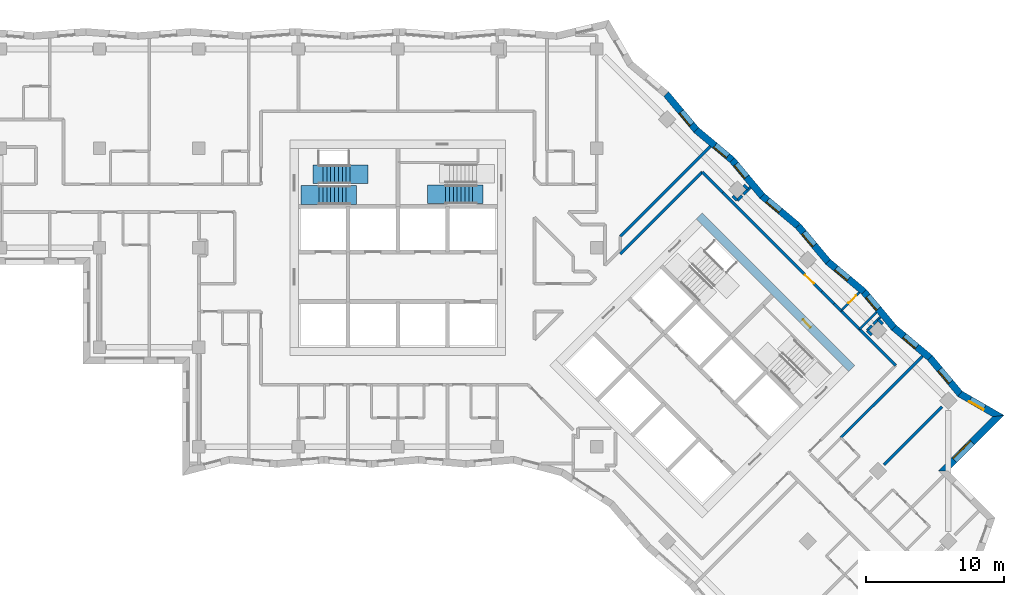
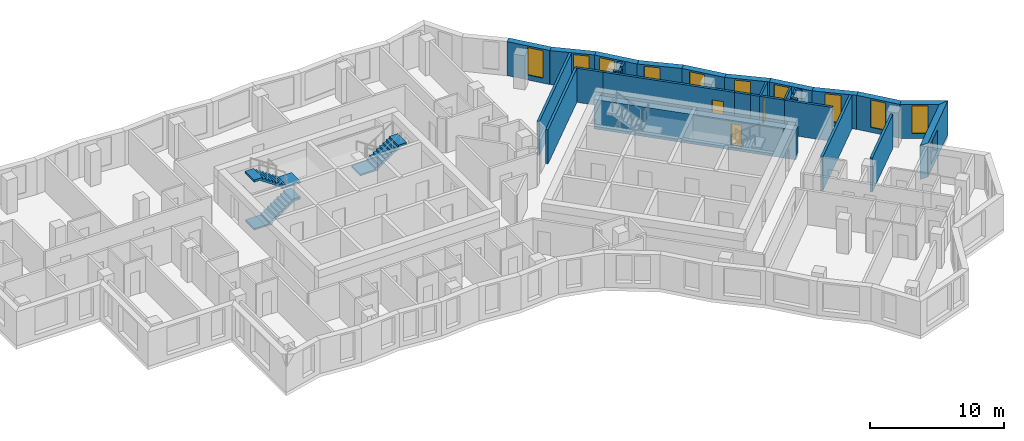
# One storey, part 9 of 12: 32 walls, 11 windows, 3 doors, 3 stair flights, 14 openings, 2 elements without a shape of their own.
"""IFC4 building model written with IfcOpenShell, lengths in metres."""

from ifc_helpers import new_model, si_unit, direction, frame, frame_2d, origin, place, context, subcontext, project, spatial, polyline, rectangle, outline, extrude, material, layer, layer_set, type_object, element, fill, aggregate, save


model = new_model("IFC4")

# Units and contexts
model_context = context("Model", 3, precision=1e-05, world=origin(), true_north=direction((0.0, 1.0)))
body_context = subcontext(model_context, "Body", "Model", "MODEL_VIEW")
ifc_project = project(units=[si_unit("LENGTHUNIT", "METRE"), si_unit("AREAUNIT", "SQUARE_METRE"), si_unit("VOLUMEUNIT", "CUBIC_METRE"), si_unit("PLANEANGLEUNIT", "RADIAN"), si_unit("MASSUNIT", "GRAM", prefix="KILO")], contexts=[model_context])

# Site, building, storey
site_placement = place(None, origin())
site = spatial("IfcSite", under=ifc_project, at=site_placement, CompositionType="ELEMENT")
building_placement = place(site_placement, origin())
building = spatial("IfcBuilding", under=site, at=building_placement, Name="Windrow Commons", CompositionType="ELEMENT")
storey_placement = place(building_placement, frame((0.0, 0.0, 135.4)))
storey = spatial("IfcBuildingStorey", under=building, at=storey_placement, Name="L36", CompositionType="ELEMENT", Elevation=135.4)

# Wall, opening, window
ifc_material_1 = material(Name="Brick masonry, red clay brick", Category="masonry")
ifc_layer_1 = layer(ifc_material_1, 0.5)
ifc_layer_set_1 = layer_set([ifc_layer_1], Name="Brick facade wall 500")
wall_type_1 = type_object("IfcWallType", Name="Brick facade wall 500", PredefinedType="SOLIDWALL", material=ifc_layer_set_1)
wall_1_placement = place(storey_placement, frame((104.3022, 41.453, 0.0), z_axis=(0.0, 0.0, 1.0), x_axis=(0.70712456, 0.707089002, 0.0)))
wall_1 = element("IfcWall", 1, at=wall_1_placement, inside=storey, type_object=wall_type_1, Name="Brick facade wall L36 6", PredefinedType="SOLIDWALL", context=body_context, shape_type="SweptSolid", body=[
    extrude(outline(polyline([(0.25, -0.25), (5.9501, -0.25), (5.2991, 0.25), (-0.25, 0.25), (0.25, -0.25)])), origin(), (0.0, 0.0, 1.0), 3.1),
])
opening_1_placement = place(wall_1_placement, frame((1.125, 0.0, 0.6)))
opening_1 = element("IfcOpeningElement", 2, at=opening_1_placement, cuts=wall_1, Name="Opening W1L", PredefinedType="OPENING", context=body_context, shape_type="SweptSolid", body=[
    extrude(rectangle(XDim=1.8, YDim=1.9, at=frame_2d((0.9, 0.95))), frame((0.0, 0.26, 0.0), z_axis=(0.0, -1.0, 0.0), x_axis=(1.0, 0.0, 0.0)), (0.0, 0.0, 1.0), 0.52),
])
ifc_material_2 = material(Name="Clear float glass in anodised aluminium frame", Category="aluminium")
window_type_1 = type_object("IfcWindowType", Name="Window W1L bedroom 1800x1900", PartitioningType="SINGLE_PANEL", PredefinedType="WINDOW", material=ifc_material_2)
window_1_placement = place(opening_1_placement, origin())
window_1 = element("IfcWindow", 3, at=window_1_placement, inside=storey, type_object=window_type_1, Name="Window L36 6.1", OverallHeight=1.9, OverallWidth=1.8, PartitioningType="SINGLE_PANEL", PredefinedType="WINDOW", context=body_context, shape_type="SweptSolid", body=[
    extrude(rectangle(XDim=1.8, YDim=1.9, at=frame_2d((0.9, 0.95))), frame((0.0, 0.18, 0.0), z_axis=(0.0, -1.0, 0.0), x_axis=(1.0, 0.0, 0.0)), (0.0, 0.0, 1.0), 0.06),
])
fill(opening_1, window_1)

wall_2_placement = place(storey_placement, frame((108.2795, 45.4301, 0.0), z_axis=(0.0, 0.0, 1.0), x_axis=(-0.8655187184, 0.5008765798, 0.0)))
wall_2 = element("IfcWall", 4, at=wall_2_placement, inside=storey, type_object=wall_type_1, Name="Brick facade wall L36 7", PredefinedType="SOLIDWALL", context=body_context, shape_type="SweptSolid", body=[
    extrude(outline(polyline([(-0.3255, -0.25), (3.165, -0.25), (3.2533, 0.25), (0.3255, 0.25), (-0.3255, -0.25)])), origin(), (0.0, 0.0, 1.0), 3.1),
])
opening_2_placement = place(wall_2_placement, frame((1.1673, 0.0, 0.45)))
opening_2 = element("IfcOpeningElement", 5, at=opening_2_placement, cuts=wall_2, Name="Opening W7E", PredefinedType="OPENING", context=body_context, shape_type="SweptSolid", body=[
    extrude(rectangle(XDim=1.2, YDim=2.5, at=frame_2d((0.6, 1.25))), frame((0.0, 0.26, 0.0), z_axis=(0.0, -1.0, 0.0), x_axis=(1.0, 0.0, 0.0)), (0.0, 0.0, 1.0), 0.52),
])
ifc_material_3 = material(Name="Clear float glass in anodised aluminium frame", Category="aluminium")
window_type_2 = type_object("IfcWindowType", Name="Window W7 notch 1200x2500", PartitioningType="SINGLE_PANEL", PredefinedType="WINDOW", material=ifc_material_3)
window_2_placement = place(opening_2_placement, origin())
window_2 = element("IfcWindow", 6, at=window_2_placement, inside=storey, type_object=window_type_2, Name="Window L36 7.1", OverallHeight=2.5, OverallWidth=1.2, PartitioningType="SINGLE_PANEL", PredefinedType="WINDOW", context=body_context, shape_type="SweptSolid", body=[
    extrude(rectangle(XDim=1.2, YDim=2.5, at=frame_2d((0.6, 1.25))), frame((0.0, 0.18, 0.0), z_axis=(0.0, -1.0, 0.0), x_axis=(1.0, 0.0, 0.0)), (0.0, 0.0, 1.0), 0.06),
])
fill(opening_2, window_2)

wall_3_placement = place(storey_placement, frame((105.5019, 47.0375, 0.0), z_axis=(0.0, 0.0, 1.0), x_axis=(-0.6416754301, 0.7669762984, 0.0)))
wall_3 = element("IfcWall", 7, at=wall_3_placement, inside=storey, type_object=wall_type_1, Name="Brick facade wall L36 8", PredefinedType="SOLIDWALL", context=body_context, shape_type="SweptSolid", body=[
    extrude(outline(polyline([(0.0441, -0.25), (3.4299, -0.25), (3.3855, 0.25), (-0.0441, 0.25), (0.0441, -0.25)])), origin(), (0.0, 0.0, 1.0), 3.1),
])
opening_3_placement = place(wall_3_placement, frame((1.0927, 0.0, 0.45)))
opening_3 = element("IfcOpeningElement", 8, at=opening_3_placement, cuts=wall_3, Name="Opening W7E", PredefinedType="OPENING", context=body_context, shape_type="SweptSolid", body=[
    extrude(rectangle(XDim=1.2, YDim=2.5, at=frame_2d((0.6, 1.25))), frame((0.0, 0.26, 0.0), z_axis=(0.0, -1.0, 0.0), x_axis=(1.0, 0.0, 0.0)), (0.0, 0.0, 1.0), 0.52),
])
window_3_placement = place(opening_3_placement, origin())
window_3 = element("IfcWindow", 9, at=window_3_placement, inside=storey, type_object=window_type_2, Name="Window L36 8.1", OverallHeight=2.5, OverallWidth=1.2, PartitioningType="SINGLE_PANEL", PredefinedType="WINDOW", context=body_context, shape_type="SweptSolid", body=[
    extrude(rectangle(XDim=1.2, YDim=2.5, at=frame_2d((0.6, 1.25))), frame((0.0, 0.18, 0.0), z_axis=(0.0, -1.0, 0.0), x_axis=(1.0, 0.0, 0.0)), (0.0, 0.0, 1.0), 0.06),
])
fill(opening_3, window_3)

wall_4_placement = place(storey_placement, frame((103.3152, 49.6512, 0.0), z_axis=(0.0, 0.0, 1.0), x_axis=(-0.7669851583, 0.64166484, 0.0)))
wall_4 = element("IfcWall", 10, at=wall_4_placement, inside=storey, type_object=wall_type_1, Name="Brick facade wall L36 9", PredefinedType="SOLIDWALL", context=body_context, shape_type="SweptSolid", body=[
    extrude(outline(polyline([(-0.0222, -0.25), (3.3636, -0.25), (3.408, 0.25), (0.0222, 0.25), (-0.0222, -0.25)])), origin(), (0.0, 0.0, 1.0), 3.1),
])
opening_4_placement = place(wall_4_placement, frame((1.2213, 0.0, 0.45)))
opening_4 = element("IfcOpeningElement", 11, at=opening_4_placement, cuts=wall_4, Name="Opening W7E", PredefinedType="OPENING", context=body_context, shape_type="SweptSolid", body=[
    extrude(rectangle(XDim=1.2, YDim=2.5, at=frame_2d((0.6, 1.25))), frame((0.0, 0.26, 0.0), z_axis=(0.0, -1.0, 0.0), x_axis=(1.0, 0.0, 0.0)), (0.0, 0.0, 1.0), 0.52),
])
window_4_placement = place(opening_4_placement, origin())
window_4 = element("IfcWindow", 12, at=window_4_placement, inside=storey, type_object=window_type_2, Name="Window L36 9.1", OverallHeight=2.5, OverallWidth=1.2, PartitioningType="SINGLE_PANEL", PredefinedType="WINDOW", context=body_context, shape_type="SweptSolid", body=[
    extrude(rectangle(XDim=1.2, YDim=2.5, at=frame_2d((0.6, 1.25))), frame((0.0, 0.18, 0.0), z_axis=(0.0, -1.0, 0.0), x_axis=(1.0, 0.0, 0.0)), (0.0, 0.0, 1.0), 0.06),
])
fill(opening_4, window_4)

wall_5_placement = place(storey_placement, frame((100.7184, 51.8237, 0.0), z_axis=(0.0, 0.0, 1.0), x_axis=(-0.6416676788, 0.7669827834, 0.0)))
wall_5 = element("IfcWall", 13, at=wall_5_placement, inside=storey, type_object=wall_type_1, Name="Brick facade wall L36 10", PredefinedType="SOLIDWALL", context=body_context, shape_type="SweptSolid", body=[
    extrude(outline(polyline([(0.0222, -0.25), (3.408, -0.25), (3.3636, 0.25), (-0.0222, 0.25), (0.0222, -0.25)])), origin(), (0.0, 0.0, 1.0), 3.1),
])
opening_5_placement = place(wall_5_placement, frame((1.7744, 0.0, 0.45)))
opening_5 = element("IfcOpeningElement", 14, at=opening_5_placement, cuts=wall_5, Name="Opening W7E", PredefinedType="OPENING", context=body_context, shape_type="SweptSolid", body=[
    extrude(rectangle(XDim=1.2, YDim=2.5, at=frame_2d((0.6, 1.25))), frame((0.0, 0.26, 0.0), z_axis=(0.0, -1.0, 0.0), x_axis=(1.0, 0.0, 0.0)), (0.0, 0.0, 1.0), 0.52),
])
window_5_placement = place(opening_5_placement, origin())
window_5 = element("IfcWindow", 15, at=window_5_placement, inside=storey, type_object=window_type_2, Name="Window L36 10.1", OverallHeight=2.5, OverallWidth=1.2, PartitioningType="SINGLE_PANEL", PredefinedType="WINDOW", context=body_context, shape_type="SweptSolid", body=[
    extrude(rectangle(XDim=1.2, YDim=2.5, at=frame_2d((0.6, 1.25))), frame((0.0, 0.18, 0.0), z_axis=(0.0, -1.0, 0.0), x_axis=(1.0, 0.0, 0.0)), (0.0, 0.0, 1.0), 0.06),
])
fill(opening_5, window_5)

wall_6_placement = place(storey_placement, frame((98.5458, 54.4206, 0.0), z_axis=(0.0, 0.0, 1.0), x_axis=(-0.7669706225, 0.6416822144, 0.0)))
wall_6 = element("IfcWall", 16, at=wall_6_placement, inside=storey, type_object=wall_type_1, Name="Brick facade wall L36 11", PredefinedType="SOLIDWALL", context=body_context, shape_type="SweptSolid", body=[
    extrude(outline(polyline([(-0.0222, -0.25), (3.3636, -0.25), (3.408, 0.25), (0.0222, 0.25), (-0.0222, -0.25)])), origin(), (0.0, 0.0, 1.0), 3.1),
])
opening_6_placement = place(wall_6_placement, frame((1.4497, 0.0, 0.45)))
opening_6 = element("IfcOpeningElement", 17, at=opening_6_placement, cuts=wall_6, Name="Opening W7E", PredefinedType="OPENING", context=body_context, shape_type="SweptSolid", body=[
    extrude(rectangle(XDim=1.2, YDim=2.5, at=frame_2d((0.6, 1.25))), frame((0.0, 0.26, 0.0), z_axis=(0.0, -1.0, 0.0), x_axis=(1.0, 0.0, 0.0)), (0.0, 0.0, 1.0), 0.52),
])
window_6_placement = place(opening_6_placement, origin())
window_6 = element("IfcWindow", 18, at=window_6_placement, inside=storey, type_object=window_type_2, Name="Window L36 11.1", OverallHeight=2.5, OverallWidth=1.2, PartitioningType="SINGLE_PANEL", PredefinedType="WINDOW", context=body_context, shape_type="SweptSolid", body=[
    extrude(rectangle(XDim=1.2, YDim=2.5, at=frame_2d((0.6, 1.25))), frame((0.0, 0.18, 0.0), z_axis=(0.0, -1.0, 0.0), x_axis=(1.0, 0.0, 0.0)), (0.0, 0.0, 1.0), 0.06),
])
fill(opening_6, window_6)

wall_7_placement = place(storey_placement, frame((95.949, 56.5932, 0.0), z_axis=(0.0, 0.0, 1.0), x_axis=(-0.6416822144, 0.7669706225, 0.0)))
wall_7 = element("IfcWall", 19, at=wall_7_placement, inside=storey, type_object=wall_type_1, Name="Brick facade wall L36 12", PredefinedType="SOLIDWALL", context=body_context, shape_type="SweptSolid", body=[
    extrude(outline(polyline([(0.0222, -0.25), (3.408, -0.25), (3.3636, 0.25), (-0.0222, 0.25), (0.0222, -0.25)])), origin(), (0.0, 0.0, 1.0), 3.1),
])
opening_7_placement = place(wall_7_placement, frame((1.5528, 0.0, 0.45)))
opening_7 = element("IfcOpeningElement", 20, at=opening_7_placement, cuts=wall_7, Name="Opening W7E", PredefinedType="OPENING", context=body_context, shape_type="SweptSolid", body=[
    extrude(rectangle(XDim=1.2, YDim=2.5, at=frame_2d((0.6, 1.25))), frame((0.0, 0.26, 0.0), z_axis=(0.0, -1.0, 0.0), x_axis=(1.0, 0.0, 0.0)), (0.0, 0.0, 1.0), 0.52),
])
window_7_placement = place(opening_7_placement, origin())
window_7 = element("IfcWindow", 21, at=window_7_placement, inside=storey, type_object=window_type_2, Name="Window L36 12.1", OverallHeight=2.5, OverallWidth=1.2, PartitioningType="SINGLE_PANEL", PredefinedType="WINDOW", context=body_context, shape_type="SweptSolid", body=[
    extrude(rectangle(XDim=1.2, YDim=2.5, at=frame_2d((0.6, 1.25))), frame((0.0, 0.18, 0.0), z_axis=(0.0, -1.0, 0.0), x_axis=(1.0, 0.0, 0.0)), (0.0, 0.0, 1.0), 0.06),
])
fill(opening_7, window_7)

wall_8_placement = place(storey_placement, frame((93.7764, 59.19, 0.0), z_axis=(0.0, 0.0, 1.0), x_axis=(-0.7669706225, 0.6416822144, 0.0)))
wall_8 = element("IfcWall", 22, at=wall_8_placement, inside=storey, type_object=wall_type_1, Name="Brick facade wall L36 13", PredefinedType="SOLIDWALL", context=body_context, shape_type="SweptSolid", body=[
    extrude(outline(polyline([(-0.0222, -0.25), (3.3636, -0.25), (3.408, 0.25), (0.0222, 0.25), (-0.0222, -0.25)])), origin(), (0.0, 0.0, 1.0), 3.1),
])
opening_8_placement = place(wall_8_placement, frame((1.6782, 0.0, 0.45)))
opening_8 = element("IfcOpeningElement", 23, at=opening_8_placement, cuts=wall_8, Name="Opening W7E", PredefinedType="OPENING", context=body_context, shape_type="SweptSolid", body=[
    extrude(rectangle(XDim=1.2, YDim=2.5, at=frame_2d((0.6, 1.25))), frame((0.0, 0.26, 0.0), z_axis=(0.0, -1.0, 0.0), x_axis=(1.0, 0.0, 0.0)), (0.0, 0.0, 1.0), 0.52),
])
window_8_placement = place(opening_8_placement, origin())
window_8 = element("IfcWindow", 24, at=window_8_placement, inside=storey, type_object=window_type_2, Name="Window L36 13.1", OverallHeight=2.5, OverallWidth=1.2, PartitioningType="SINGLE_PANEL", PredefinedType="WINDOW", context=body_context, shape_type="SweptSolid", body=[
    extrude(rectangle(XDim=1.2, YDim=2.5, at=frame_2d((0.6, 1.25))), frame((0.0, 0.18, 0.0), z_axis=(0.0, -1.0, 0.0), x_axis=(1.0, 0.0, 0.0)), (0.0, 0.0, 1.0), 0.06),
])
fill(opening_8, window_8)

wall_9_placement = place(storey_placement, frame((91.1796, 61.3626, 0.0), z_axis=(0.0, 0.0, 1.0), x_axis=(-0.6416822144, 0.7669706225, 0.0)))
wall_9 = element("IfcWall", 25, at=wall_9_placement, inside=storey, type_object=wall_type_1, Name="Brick facade wall L36 14", PredefinedType="SOLIDWALL", context=body_context, shape_type="SweptSolid", body=[
    extrude(outline(polyline([(0.0222, -0.25), (3.408, -0.25), (3.3636, 0.25), (-0.0222, 0.25), (0.0222, -0.25)])), origin(), (0.0, 0.0, 1.0), 3.1),
])
opening_9_placement = place(wall_9_placement, frame((1.7812, 0.0, 0.45)))
opening_9 = element("IfcOpeningElement", 26, at=opening_9_placement, cuts=wall_9, Name="Opening W7E", PredefinedType="OPENING", context=body_context, shape_type="SweptSolid", body=[
    extrude(rectangle(XDim=1.2, YDim=2.5, at=frame_2d((0.6, 1.25))), frame((0.0, 0.26, 0.0), z_axis=(0.0, -1.0, 0.0), x_axis=(1.0, 0.0, 0.0)), (0.0, 0.0, 1.0), 0.52),
])
window_9_placement = place(opening_9_placement, origin())
window_9 = element("IfcWindow", 27, at=window_9_placement, inside=storey, type_object=window_type_2, Name="Window L36 14.1", OverallHeight=2.5, OverallWidth=1.2, PartitioningType="SINGLE_PANEL", PredefinedType="WINDOW", context=body_context, shape_type="SweptSolid", body=[
    extrude(rectangle(XDim=1.2, YDim=2.5, at=frame_2d((0.6, 1.25))), frame((0.0, 0.18, 0.0), z_axis=(0.0, -1.0, 0.0), x_axis=(1.0, 0.0, 0.0)), (0.0, 0.0, 1.0), 0.06),
])
fill(opening_9, window_9)

wall_10_placement = place(storey_placement, frame((89.007, 63.9594, 0.0), z_axis=(0.0, 0.0, 1.0), x_axis=(-0.7669827834, 0.6416676788, 0.0)))
wall_10 = element("IfcWall", 28, at=wall_10_placement, inside=storey, type_object=wall_type_1, Name="Brick facade wall L36 15", PredefinedType="SOLIDWALL", context=body_context, shape_type="SweptSolid", body=[
    extrude(outline(polyline([(-0.0222, -0.25), (3.3636, -0.25), (3.408, 0.25), (0.0222, 0.25), (-0.0222, -0.25)])), origin(), (0.0, 0.0, 1.0), 3.1),
])
opening_10_placement = place(wall_10_placement, frame((0.4248, 0.0, 0.45)))
opening_10 = element("IfcOpeningElement", 29, at=opening_10_placement, cuts=wall_10, Name="Opening W7E", PredefinedType="OPENING", context=body_context, shape_type="SweptSolid", body=[
    extrude(rectangle(XDim=1.2, YDim=2.5, at=frame_2d((0.6, 1.25))), frame((0.0, 0.26, 0.0), z_axis=(0.0, -1.0, 0.0), x_axis=(1.0, 0.0, 0.0)), (0.0, 0.0, 1.0), 0.52),
])
window_10_placement = place(opening_10_placement, origin())
window_10 = element("IfcWindow", 30, at=window_10_placement, inside=storey, type_object=window_type_2, Name="Window L36 15.1", OverallHeight=2.5, OverallWidth=1.2, PartitioningType="SINGLE_PANEL", PredefinedType="WINDOW", context=body_context, shape_type="SweptSolid", body=[
    extrude(rectangle(XDim=1.2, YDim=2.5, at=frame_2d((0.6, 1.25))), frame((0.0, 0.18, 0.0), z_axis=(0.0, -1.0, 0.0), x_axis=(1.0, 0.0, 0.0)), (0.0, 0.0, 1.0), 0.06),
])
fill(opening_10, window_10)

wall_11_placement = place(storey_placement, frame((86.4101, 66.132, 0.0), z_axis=(0.0, 0.0, 1.0), x_axis=(-0.64166484, 0.7669851583, 0.0)))
wall_11 = element("IfcWall", 31, at=wall_11_placement, inside=storey, type_object=wall_type_1, Name="Brick facade wall L36 16", PredefinedType="SOLIDWALL", context=body_context, shape_type="SweptSolid", body=[
    extrude(outline(polyline([(0.0222, -0.25), (3.408, -0.25), (3.3636, 0.25), (-0.0222, 0.25), (0.0222, -0.25)])), origin(), (0.0, 0.0, 1.0), 3.1),
])
opening_11_placement = place(wall_11_placement, frame((0.5279, 0.0, 0.45)))
opening_11 = element("IfcOpeningElement", 32, at=opening_11_placement, cuts=wall_11, Name="Opening W7E", PredefinedType="OPENING", context=body_context, shape_type="SweptSolid", body=[
    extrude(rectangle(XDim=1.2, YDim=2.5, at=frame_2d((0.6, 1.25))), frame((0.0, 0.26, 0.0), z_axis=(0.0, -1.0, 0.0), x_axis=(1.0, 0.0, 0.0)), (0.0, 0.0, 1.0), 0.52),
])
window_11_placement = place(opening_11_placement, origin())
window_11 = element("IfcWindow", 33, at=window_11_placement, inside=storey, type_object=window_type_2, Name="Window L36 16.1", OverallHeight=2.5, OverallWidth=1.2, PartitioningType="SINGLE_PANEL", PredefinedType="WINDOW", context=body_context, shape_type="SweptSolid", body=[
    extrude(rectangle(XDim=1.2, YDim=2.5, at=frame_2d((0.6, 1.25))), frame((0.0, 0.18, 0.0), z_axis=(0.0, -1.0, 0.0), x_axis=(1.0, 0.0, 0.0)), (0.0, 0.0, 1.0), 0.06),
])
fill(opening_11, window_11)

# Wall, opening, door
ifc_material_4 = material(Name="Blockwork partition", Category="masonry")
ifc_layer_2 = layer(ifc_material_4, 0.2)
ifc_layer_set_2 = layer_set([ifc_layer_2], Name="IW-CORRIDOR-200")
wall_type_2 = type_object("IfcWallType", Name="IW-CORRIDOR-200", PredefinedType="PARTITIONING", material=ifc_layer_set_2)
wall_12_placement = place(storey_placement, frame((88.3255, 61.6095, 0.0), z_axis=(0.0, 0.0, 1.0), x_axis=(0.7071067812, -0.7071067812, 0.0)))
wall_12 = element("IfcWall", 34, at=wall_12_placement, inside=storey, type_object=wall_type_2, Name="W-L36-W006", PredefinedType="PARTITIONING", context=body_context, shape_type="SweptSolid", body=[
    extrude(rectangle(XDim=10.1399, YDim=0.2, at=frame_2d((5.07, 0.0))), origin(), (0.0, 0.0, 1.0), 3.1),
])
opening_12_placement = place(wall_12_placement, frame((8.4225, 0.0, 0.0)))
opening_12 = element("IfcOpeningElement", 35, at=opening_12_placement, cuts=wall_12, Name="Opening D109F", PredefinedType="OPENING", context=body_context, shape_type="SweptSolid", body=[
    extrude(rectangle(XDim=0.9, YDim=2.1, at=frame_2d((0.45, 1.05))), frame((0.0, 0.11, 0.0), z_axis=(0.0, -1.0, 0.0), x_axis=(1.0, 0.0, 0.0)), (0.0, 0.0, 1.0), 0.22),
])
ifc_material_5 = material(Name="Timber door leaf", Category="wood")
door_type_1 = type_object("IfcDoorType", Name="DT-BEDROOM-900", OperationType="SINGLE_SWING_LEFT", PredefinedType="DOOR", material=ifc_material_5)
door_1_placement = place(opening_12_placement, origin())
door_1 = element("IfcDoor", 36, at=door_1_placement, inside=storey, type_object=door_type_1, Name="D-L36-D039", OperationType="SINGLE_SWING_LEFT", OverallHeight=2.1, OverallWidth=0.9, PredefinedType="DOOR", context=body_context, shape_type="SweptSolid", body=[
    extrude(rectangle(XDim=0.9, YDim=2.1, at=frame_2d((0.45, 1.05))), frame((0.0, 0.025, 0.0), z_axis=(0.0, -1.0, 0.0), x_axis=(1.0, 0.0, 0.0)), (0.0, 0.0, 1.0), 0.05),
])
fill(opening_12, door_1)

# Walls
wall_13_placement = place(storey_placement, frame((80.9013, 57.1567, 0.0), z_axis=(0.0, 0.0, 1.0), x_axis=(0.7071067812, 0.7071067812, 0.0)))
element("IfcWall", 37, at=wall_13_placement, inside=storey, type_object=wall_type_2, Name="W-L36-W013", PredefinedType="PARTITIONING", context=body_context, shape_type="SweptSolid", body=[
    extrude(rectangle(XDim=8.3919, YDim=0.2, at=frame_2d((4.1959, 0.0))), origin(), (0.0, 0.0, 1.0), 3.1),
])
wall_14_placement = place(storey_placement, frame((98.2209, 51.7049, 0.0), z_axis=(0.0, 0.0, 1.0), x_axis=(0.7073229887, -0.7068905075, 0.0)))
element("IfcWall", 38, at=wall_14_placement, inside=storey, type_object=wall_type_2, Name="W-L36-W046", PredefinedType="PARTITIONING", context=body_context, shape_type="SweptSolid", body=[
    extrude(rectangle(XDim=3.6996, YDim=0.2, at=frame_2d((1.8498, 0.0))), origin(), (0.0, 0.0, 1.0), 3.1),
])
wall_15_placement = place(storey_placement, frame((86.8343, 63.0883, 0.0), z_axis=(0.0, 0.0, 1.0), x_axis=(0.7075827869, -0.7066304548, 0.0)))
element("IfcWall", 39, at=wall_15_placement, inside=storey, type_object=wall_type_2, Name="W-L36-W101", PredefinedType="PARTITIONING", context=body_context, shape_type="SweptSolid", body=[
    extrude(rectangle(XDim=2.1001, YDim=0.2, at=frame_2d((1.05, 0.0))), origin(), (0.0, 0.0, 1.0), 3.1),
])
wall_16_placement = place(storey_placement, frame((96.8815, 53.0535, 0.0), z_axis=(0.0, 0.0, 1.0), x_axis=(0.7071067812, -0.7071067812, 0.0)))
element("IfcWall", 40, at=wall_16_placement, inside=storey, type_object=wall_type_2, Name="W-L36-W114", PredefinedType="PARTITIONING", context=body_context, shape_type="SweptSolid", body=[
    extrude(rectangle(XDim=1.9007, YDim=0.2, at=frame_2d((0.9504, 0.0))), origin(), (0.0, 0.0, 1.0), 3.1),
])
wall_17_placement = place(storey_placement, frame((95.4937, 54.4377, 0.0), z_axis=(0.0, 0.0, 1.0), x_axis=(0.706312726, -0.7078999456, 0.0)))
element("IfcWall", 41, at=wall_17_placement, inside=storey, type_object=wall_type_2, Name="W-L36-W143", PredefinedType="PARTITIONING", context=body_context, shape_type="SweptSolid", body=[
    extrude(rectangle(XDim=1.2601, YDim=0.2, at=frame_2d((0.63, 0.0))), origin(), (0.0, 0.0, 1.0), 3.1),
])
wall_18_placement = place(storey_placement, frame((96.3804, 53.5424, 0.0), z_axis=(0.0, 0.0, 1.0), x_axis=(0.7085338339, -0.7056768426, 0.0)))
element("IfcWall", 42, at=wall_18_placement, inside=storey, type_object=wall_type_2, Name="W-L36-W154", PredefinedType="PARTITIONING", context=body_context, shape_type="SweptSolid", body=[
    extrude(rectangle(XDim=0.7, YDim=0.2, at=frame_2d((0.35, 0.0))), origin(), (0.0, 0.0, 1.0), 3.1),
])

# Wall, opening, door
ifc_material_6 = material(Name="Blockwork partition", Category="masonry")
ifc_layer_3 = layer(ifc_material_6, 0.15)
ifc_layer_set_3 = layer_set([ifc_layer_3], Name="IW-ENSUITE-150")
wall_type_3 = type_object("IfcWallType", Name="IW-ENSUITE-150", PredefinedType="PARTITIONING", material=ifc_layer_set_3)
wall_19_placement = place(storey_placement, frame((96.8772, 53.0508, 0.0), z_axis=(0.0, 0.0, 1.0), x_axis=(0.7071333947, 0.7070801667, 0.0)))
wall_19 = element("IfcWall", 43, at=wall_19_placement, inside=storey, type_object=wall_type_3, Name="W-L36-W129", PredefinedType="PARTITIONING", context=body_context, shape_type="SweptSolid", body=[
    extrude(rectangle(XDim=1.8787, YDim=0.15, at=frame_2d((0.9394, 0.0))), origin(), (0.0, 0.0, 1.0), 3.1),
])
opening_13_placement = place(wall_19_placement, frame((0.7697, 0.0, 0.0)))
opening_13 = element("IfcOpeningElement", 44, at=opening_13_placement, cuts=wall_19, Name="Opening D208N", PredefinedType="OPENING", context=body_context, shape_type="SweptSolid", body=[
    extrude(rectangle(XDim=0.8, YDim=2.1, at=frame_2d((0.4, 1.05))), frame((0.0, 0.085, 0.0), z_axis=(0.0, -1.0, 0.0), x_axis=(1.0, 0.0, 0.0)), (0.0, 0.0, 1.0), 0.17),
])
ifc_material_7 = material(Name="Timber door leaf", Category="wood")
door_type_2 = type_object("IfcDoorType", Name="DT-ENSUITE-800", OperationType="SINGLE_SWING_LEFT", PredefinedType="DOOR", material=ifc_material_7)
door_2_placement = place(opening_13_placement, origin())
door_2 = element("IfcDoor", 45, at=door_2_placement, inside=storey, type_object=door_type_2, Name="D-L36-D040", OperationType="SINGLE_SWING_RIGHT", OverallHeight=2.1, OverallWidth=0.8, PredefinedType="DOOR", context=body_context, shape_type="SweptSolid", body=[
    extrude(rectangle(XDim=0.8, YDim=2.1, at=frame_2d((0.4, 1.05))), frame((0.0, 0.025, 0.0), z_axis=(0.0, -1.0, 0.0), x_axis=(1.0, 0.0, 0.0)), (0.0, 0.0, 1.0), 0.05),
])
fill(opening_13, door_2)

# Walls
wall_20_placement = place(storey_placement, frame((98.2207, 51.7073, 0.0), z_axis=(0.0, 0.0, 1.0), x_axis=(0.7071353957, 0.7070781655, 0.0)))
element("IfcWall", 46, at=wall_20_placement, inside=storey, type_object=wall_type_3, Name="W-L36-W133", PredefinedType="PARTITIONING", context=body_context, shape_type="SweptSolid", body=[
    extrude(rectangle(XDim=1.7473, YDim=0.15, at=frame_2d((0.8737, 0.0))), origin(), (0.0, 0.0, 1.0), 3.1),
])
ifc_material_8 = material(Name="Blockwork partition", Category="masonry")
ifc_layer_4 = layer(ifc_material_8, 0.2)
ifc_layer_set_4 = layer_set([ifc_layer_4], Name="IW-PARTY-200")
wall_type_4 = type_object("IfcWallType", Name="IW-PARTY-200", PredefinedType="PARTITIONING", material=ifc_layer_set_4)
wall_21_placement = place(storey_placement, frame((80.8989, 58.4271, 0.0), z_axis=(0.0, 0.0, 1.0), x_axis=(0.707112197, 0.7071013653, 0.0)))
element("IfcWall", 47, at=wall_21_placement, inside=storey, type_object=wall_type_4, Name="W-L36-W008", PredefinedType="PARTITIONING", context=body_context, shape_type="SweptSolid", body=[
    extrude(rectangle(XDim=9.2322, YDim=0.2, at=frame_2d((4.6161, 0.0))), origin(), (0.0, 0.0, 1.0), 3.1),
])
wall_22_placement = place(storey_placement, frame((96.8753, 43.8607, 0.0), z_axis=(0.0, 0.0, 1.0), x_axis=(0.7072324205, 0.7069811196, 0.0)))
element("IfcWall", 48, at=wall_22_placement, inside=storey, type_object=wall_type_4, Name="W-L36-W014", PredefinedType="PARTITIONING", context=body_context, shape_type="SweptSolid", body=[
    extrude(rectangle(XDim=8.3565, YDim=0.2, at=frame_2d((4.1783, 0.0))), origin(), (0.0, 0.0, 1.0), 3.1),
])
wall_23_placement = place(storey_placement, frame((100.013, 41.903, 0.0), z_axis=(0.0, 0.0, 1.0), x_axis=(0.7071067812, 0.7071067812, 0.0)))
element("IfcWall", 49, at=wall_23_placement, inside=storey, type_object=wall_type_4, Name="W-L36-W026", PredefinedType="PARTITIONING", context=body_context, shape_type="SweptSolid", body=[
    extrude(rectangle(XDim=5.9284, YDim=0.2, at=frame_2d((2.9642, 0.0))), origin(), (0.0, 0.0, 1.0), 3.1),
])
wall_24_placement = place(storey_placement, frame((89.8314, 61.4906, 0.0), z_axis=(0.0, 0.0, 1.0), x_axis=(0.7071777367, 0.7070358186, 0.0)))
element("IfcWall", 50, at=wall_24_placement, inside=storey, type_object=wall_type_4, Name="W-L36-W171", PredefinedType="PARTITIONING", context=body_context, shape_type="SweptSolid", body=[
    extrude(rectangle(XDim=0.7046, YDim=0.2, at=frame_2d((0.3523, 0.0))), origin(), (0.0, 0.0, 1.0), 3.1),
])
wall_25_placement = place(storey_placement, frame((89.3774, 61.0366, 0.0), z_axis=(0.0, 0.0, 1.0), x_axis=(0.7071067812, 0.7071067812, 0.0)))
element("IfcWall", 51, at=wall_25_placement, inside=storey, type_object=wall_type_4, Name="W-L36-W172", PredefinedType="PARTITIONING", context=body_context, shape_type="SweptSolid", body=[
    extrude(rectangle(XDim=0.4695, YDim=0.2, at=frame_2d((0.2347, 0.0))), origin(), (0.0, 0.0, 1.0), 3.1),
])
for number, where, z_axis, x_axis, name in (
    (52, (89.8325, 62.1525, 0.0), (0.0, 0.0, 1.0), (0.7091580046, -0.7050495901, 0.0), "W-L36-W173"),
    (53, (89.0488, 61.3688, 0.0), (0.0, 0.0, 1.0), (0.7050495901, -0.7091580046, 0.0), "W-L36-W174"),
):
    element("IfcWall", number, at=place(storey_placement, frame(where, z_axis=z_axis, x_axis=x_axis)), inside=storey, type_object=wall_type_4, Name=name, PredefinedType="PARTITIONING", context=body_context, shape_type="SweptSolid", body=[
        extrude(rectangle(XDim=0.4381, YDim=0.2, at=frame_2d((0.219, 0.0))), origin(), (0.0, 0.0, 1.0), 3.1),
    ])
for number, where, z_axis, x_axis, name in (
    (54, (99.5696, 52.4176, 0.0), (0.0, 0.0, 1.0), (0.7092398187, -0.7049672897, 0.0), "W-L36-W175"),
    (55, (98.7837, 51.6317, 0.0), (0.0, 0.0, 1.0), (0.7049672897, -0.7092398187, 0.0), "W-L36-W176"),
):
    element("IfcWall", number, at=place(storey_placement, frame(where, z_axis=z_axis, x_axis=x_axis)), inside=storey, type_object=wall_type_4, Name=name, PredefinedType="PARTITIONING", context=body_context, shape_type="SweptSolid", body=[
        extrude(rectangle(XDim=0.4681, YDim=0.2, at=frame_2d((0.2341, 0.0))), origin(), (0.0, 0.0, 1.0), 3.1),
    ])
wall_26_placement = place(storey_placement, frame((98.7829, 51.6331, 0.0), z_axis=(0.0, 0.0, 1.0), x_axis=(0.7071067812, 0.7071067812, 0.0)))
element("IfcWall", 56, at=wall_26_placement, inside=storey, type_object=wall_type_4, Name="W-L36-W177", PredefinedType="PARTITIONING", context=body_context, shape_type="SweptSolid", body=[
    extrude(rectangle(XDim=0.4667, YDim=0.2, at=frame_2d((0.2334, 0.0))), origin(), (0.0, 0.0, 1.0), 3.1),
])
wall_27_placement = place(storey_placement, frame((99.2369, 52.0871, 0.0), z_axis=(0.0, 0.0, 1.0), x_axis=(0.7071067812, 0.7071067812, 0.0)))
element("IfcWall", 57, at=wall_27_placement, inside=storey, type_object=wall_type_4, Name="W-L36-W178", PredefinedType="PARTITIONING", context=body_context, shape_type="SweptSolid", body=[
    extrude(rectangle(XDim=0.7201, YDim=0.2, at=frame_2d((0.36, 0.0))), origin(), (0.0, 0.0, 1.0), 3.1),
])

# Wall, opening, door
ifc_material_9 = material(Name="Concrete C50/60", Category="concrete")
ifc_layer_5 = layer(ifc_material_9, 0.6)
ifc_layer_set_5 = layer_set([ifc_layer_5], Name="RC CORE WALL 600 C50/60")
wall_type_5 = type_object("IfcWallType", Name="RC CORE WALL 600 C50/60", PredefinedType="SHEAR", material=ifc_layer_set_5)
wall_28_placement = place(storey_placement, frame((86.6246, 59.9085, -0.3), z_axis=(0.0, 0.0, 1.0), x_axis=(0.7071067812, -0.7071067812, 0.0)))
wall_28 = element("IfcWall", 58, at=wall_28_placement, inside=storey, type_object=wall_type_5, Name="Core B wall outer-N", PredefinedType="SHEAR", context=body_context, shape_type="SweptSolid", body=[
    extrude(rectangle(XDim=15.6, YDim=0.6, at=frame_2d((7.8, 0.0))), origin(), (0.0, 0.0, 1.0), 2.7),
])
opening_14_placement = place(wall_28_placement, frame((10.6, 0.0, 0.3)))
opening_14 = element("IfcOpeningElement", 59, at=opening_14_placement, cuts=wall_28, Name="Opening D9", PredefinedType="OPENING", context=body_context, shape_type="SweptSolid", body=[
    extrude(rectangle(XDim=0.8, YDim=2.1, at=frame_2d((0.4, 1.05))), frame((0.0, 0.31, 0.0), z_axis=(0.0, -1.0, 0.0), x_axis=(1.0, 0.0, 0.0)), (0.0, 0.0, 1.0), 0.62),
])
ifc_material_10 = material(Name="Steel fire door leaf", Category="steel")
door_type_3 = type_object("IfcDoorType", Name="Riser access door 800", OperationType="SINGLE_SWING_LEFT", PredefinedType="DOOR", material=ifc_material_10)
door_3_placement = place(opening_14_placement, origin())
door_3 = element("IfcDoor", 60, at=door_3_placement, inside=storey, type_object=door_type_3, Name="Riser access door", OperationType="SINGLE_SWING_RIGHT", OverallHeight=2.1, OverallWidth=0.8, PredefinedType="DOOR", context=body_context, shape_type="SweptSolid", body=[
    extrude(rectangle(XDim=0.8, YDim=2.1, at=frame_2d((0.4, 1.05))), frame((0.0, 0.025, 0.0), z_axis=(0.0, -1.0, 0.0), x_axis=(1.0, 0.0, 0.0)), (0.0, 0.0, 1.0), 0.05),
])
fill(opening_14, door_3)

# Stair, stair flights
ifc_material_11 = material(Name="Concrete C40/50", Category="concrete")
stair_type = type_object("IfcStairType", Name="Core stair", PredefinedType="HALF_TURN_STAIR", material=ifc_material_11)
placement = place(storey_placement, origin())
stair_1 = element("IfcStair", 61, at=placement, inside=storey, type_object=stair_type, Name="L36 Exit stair A1 core A", PredefinedType="HALF_TURN_STAIR")
ifc_material_12 = material(Name="Concrete C40/50", Category="concrete")
stair_flight_type = type_object("IfcStairFlightType", Name="Core stair flight", PredefinedType="STRAIGHT", material=ifc_material_12)
stair_flight_1_placement = place(storey_placement, frame((59.1, 61.425, 0.0), z_axis=(0.0, 0.0, 1.0), x_axis=(1.0, 0.0, 0.0)))
stair_flight_1 = element("IfcStairFlight", 62, at=stair_flight_1_placement, type_object=stair_flight_type, Name="ST-A1 flight 1", NumberOfRisers=9, NumberOfTreads=8, PredefinedType="STRAIGHT", RiserHeight=0.188888889, TreadLength=0.28, context=body_context, shape_type="SweptSolid", body=[
    extrude(outline(polyline([(-1.3, -0.15), (-1.3, 0.0), (0.0, 0.0), (0.0, 0.1889), (0.28, 0.1889), (0.28, 0.3778), (0.56, 0.3778), (0.56, 0.5667), (0.84, 0.5667), (0.84, 0.7556), (1.12, 0.7556), (1.12, 0.9444), (1.4, 0.9444), (1.4, 1.1333), (1.68, 1.1333), (1.68, 1.3222), (1.96, 1.3222), (1.96, 1.5111), (2.24, 1.5111), (2.69, 1.5111), (2.69, 1.3111), (2.24, 1.3111), (2.24, 1.3302), (0.2682, 0.0), (0.2682, -0.15), (-1.3, -0.15)])), frame((0.0, 0.675, 0.0), z_axis=(0.0, -1.0, 0.0), x_axis=(1.0, 0.0, 0.0)), (0.0, 0.0, 1.0), 1.35),
])
stair_flight_2_placement = place(storey_placement, frame((61.34, 62.925, 1.7), z_axis=(0.0, 0.0, 1.0), x_axis=(-1.0, 0.0, 0.0)))
stair_flight_2 = element("IfcStairFlight", 63, at=stair_flight_2_placement, type_object=stair_flight_type, Name="ST-A1 flight 2", NumberOfRisers=9, NumberOfTreads=8, PredefinedType="STRAIGHT", RiserHeight=0.188888889, TreadLength=0.28, context=body_context, shape_type="SweptSolid", body=[
    extrude(outline(polyline([(-1.3, -0.15), (-1.3, 0.0), (0.0, 0.0), (0.0, 0.1889), (0.28, 0.1889), (0.28, 0.3778), (0.56, 0.3778), (0.56, 0.5667), (0.84, 0.5667), (0.84, 0.7556), (1.12, 0.7556), (1.12, 0.9444), (1.4, 0.9444), (1.4, 1.1333), (1.68, 1.1333), (1.68, 1.3222), (1.96, 1.3222), (1.96, 1.5111), (2.24, 1.5111), (2.69, 1.5111), (2.69, 1.3111), (2.24, 1.3111), (2.24, 1.3302), (0.2682, 0.0), (0.2682, -0.15), (-1.3, -0.15)])), frame((0.0, 0.675, 0.0), z_axis=(0.0, -1.0, 0.0), x_axis=(1.0, 0.0, 0.0)), (0.0, 0.0, 1.0), 1.35),
])
aggregate(stair_1, [stair_flight_1, stair_flight_2])

# Stair, stair flight
stair_2 = element("IfcStair", 64, at=placement, inside=storey, type_object=stair_type, Name="L36 Exit stair A2 core A", PredefinedType="HALF_TURN_STAIR")
stair_flight_3_placement = place(storey_placement, frame((68.26, 61.48, 1.7), z_axis=(0.0, 0.0, 1.0), x_axis=(1.0, 0.0, 0.0)))
stair_flight_3 = element("IfcStairFlight", 65, at=stair_flight_3_placement, type_object=stair_flight_type, Name="ST-A2 flight 2", NumberOfRisers=9, NumberOfTreads=8, PredefinedType="STRAIGHT", RiserHeight=0.188888889, TreadLength=0.28, context=body_context, shape_type="SweptSolid", body=[
    extrude(outline(polyline([(-1.3, -0.15), (-1.3, 0.0), (0.0, 0.0), (0.0, 0.1889), (0.28, 0.1889), (0.28, 0.3778), (0.56, 0.3778), (0.56, 0.5667), (0.84, 0.5667), (0.84, 0.7556), (1.12, 0.7556), (1.12, 0.9444), (1.4, 0.9444), (1.4, 1.1333), (1.68, 1.1333), (1.68, 1.3222), (1.96, 1.3222), (1.96, 1.5111), (2.24, 1.5111), (2.69, 1.5111), (2.69, 1.3111), (2.24, 1.3111), (2.24, 1.3302), (0.2682, 0.0), (0.2682, -0.15), (-1.3, -0.15)])), frame((0.0, 0.675, 0.0), z_axis=(0.0, -1.0, 0.0), x_axis=(1.0, 0.0, 0.0)), (0.0, 0.0, 1.0), 1.35),
])
aggregate(stair_2, [stair_flight_3])

save(model, "model.ifc")
